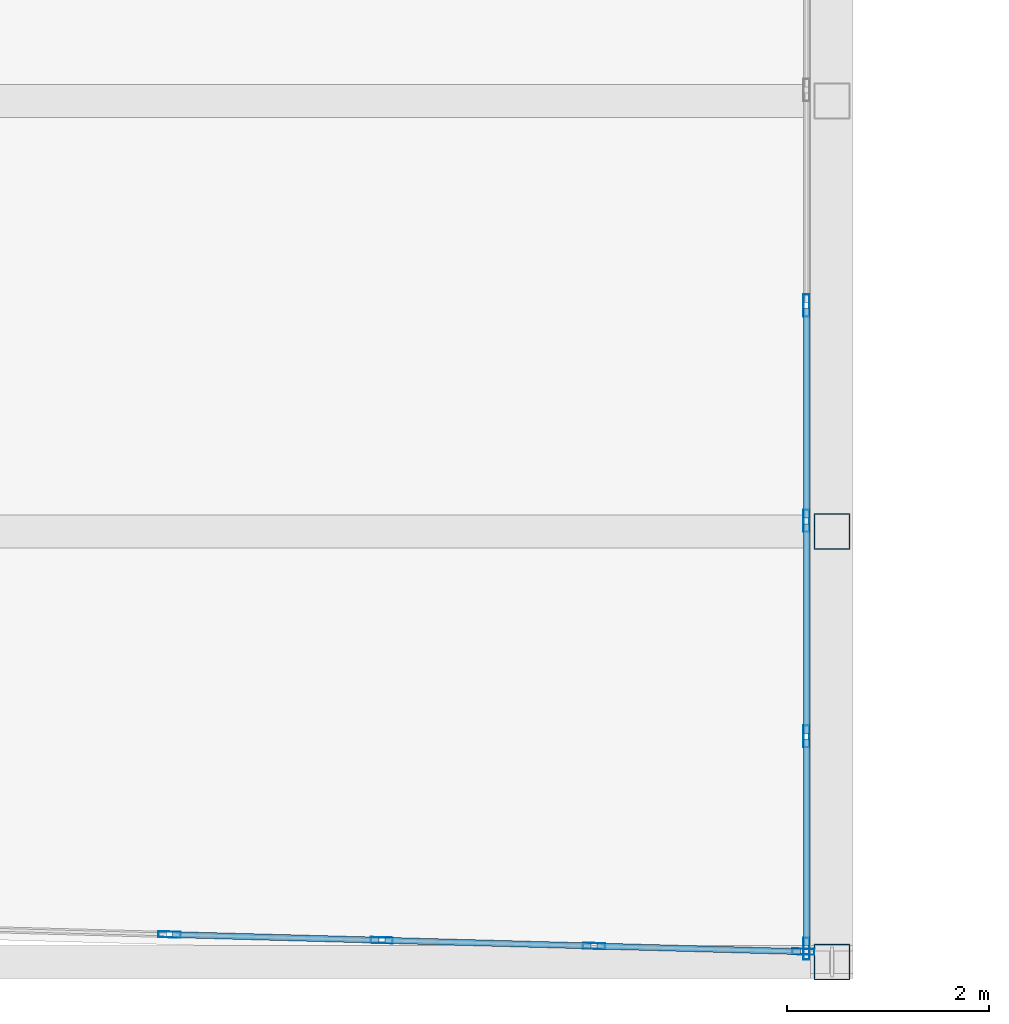
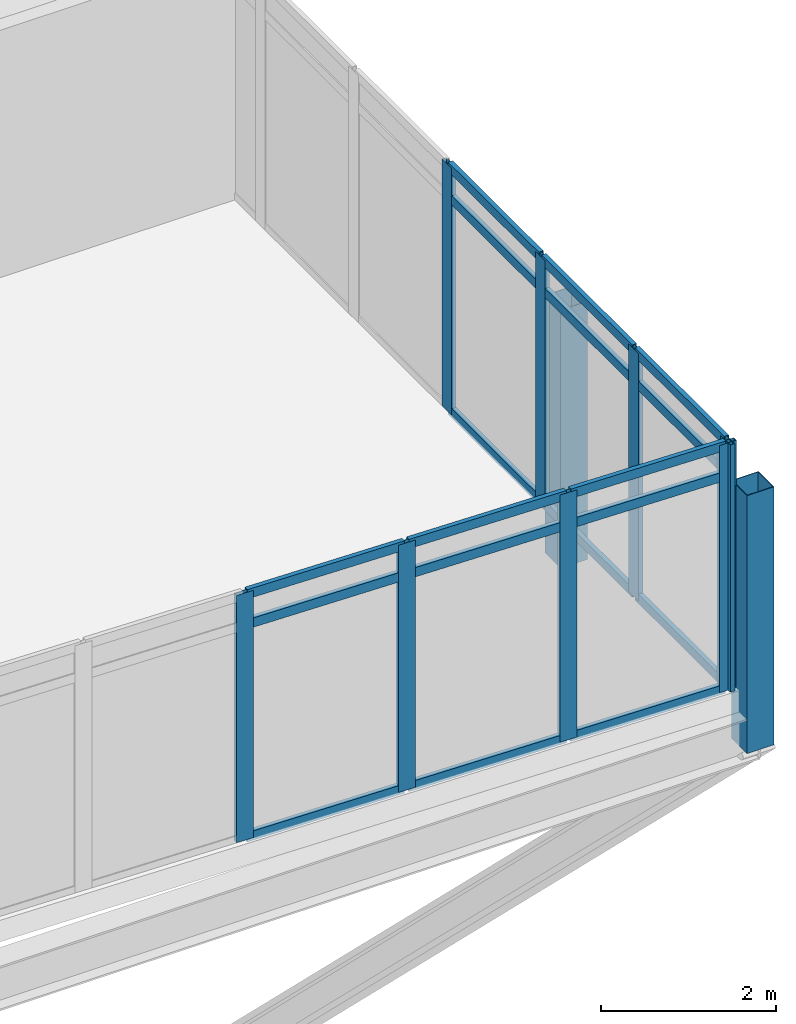
# One storey, part 12 of 38: 28 members, 2 elements without a shape of their own.
"""IFC4 building model written with IfcOpenShell, lengths in metres."""

from ifc_helpers import new_model, si_unit, direction, frame, origin, origin_2d, place, context, subcontext, project, spatial, hollow_rectangle, extrude, material, material_profile, profile_set, type_object, element, aggregate, save


model = new_model("IFC4")

# Units and contexts
model_context = context("Model", 3, precision=1e-05, world=origin(), true_north=direction((0.0, 1.0)))
body_context = subcontext(model_context, "Body", "Model", "MODEL_VIEW")
ifc_project = project(units=[si_unit("LENGTHUNIT", "METRE"), si_unit("AREAUNIT", "SQUARE_METRE"), si_unit("VOLUMEUNIT", "CUBIC_METRE"), si_unit("PLANEANGLEUNIT", "RADIAN"), si_unit("MASSUNIT", "GRAM", prefix="KILO")], contexts=[model_context])

# Site, building, storey
site_placement = place(None, origin())
site = spatial("IfcSite", under=ifc_project, at=site_placement, CompositionType="ELEMENT")
building_placement = place(site_placement, origin())
building = spatial("IfcBuilding", under=site, at=building_placement, Name="Ostrander Bayou Hotel Tower", CompositionType="ELEMENT")
storey_placement = place(building_placement, frame((0.0, 0.0, 65.5)))
storey = spatial("IfcBuildingStorey", under=building, at=storey_placement, Name="L16", CompositionType="ELEMENT", Elevation=65.5)

# Curtain wall, members
ifc_material_1 = material(Name="Aluminium and clear glass", Category="aluminium")
curtain_wall_type = type_object("IfcCurtainWallType", Name="CW-BAR glazed wall", PredefinedType="NOTDEFINED", material=ifc_material_1)
curtain_wall_1_placement = place(storey_placement, origin())
curtain_wall_1 = element("IfcCurtainWall", 1, at=curtain_wall_1_placement, inside=storey, type_object=curtain_wall_type, Name="CW-BAR L16:SB1S:T", PredefinedType="NOTDEFINED")
ifc_material_2 = material(Name="Aluminium", Category="aluminium")
ifc_material_profile_1 = material_profile(ifc_material_2, hollow_rectangle(XDim=0.06005859375, YDim=0.219970703125, WallThickness=0.00390625, at=origin_2d()))
ifc_profile_set_1 = profile_set([ifc_material_profile_1], Name="Aluminium")
member_type_1 = type_object("IfcMemberType", Name="CW-BR mullion 60 x 220 mm", PredefinedType="MULLION", material=ifc_profile_set_1)
member_1_placement = place(storey_placement, frame((8.406982421875, -32.677490234375, 0.0), z_axis=(0.0, 0.0, 1.0), x_axis=(0.027042484848, 0.999634285133, 0.0)))
member_1 = element("IfcMember", 2, at=member_1_placement, type_object=member_type_1, Name="CW-BAR mullion 12", PredefinedType="MULLION", context=body_context, shape_type="SweptSolid", body=[
    extrude(hollow_rectangle(XDim=0.06005859375, YDim=0.219970703125, WallThickness=0.00390625, at=origin_2d()), origin(), (0.0, 0.0, 1.0), 3.449951171875),
])
member_2_placement = place(storey_placement, frame((10.5087890625, -32.734375, 0.0), z_axis=(0.0, 0.0, 1.0), x_axis=(0.027042484848, 0.999634285133, 0.0)))
member_2 = element("IfcMember", 3, at=member_2_placement, type_object=member_type_1, Name="CW-BAR mullion 13", PredefinedType="MULLION", context=body_context, shape_type="SweptSolid", body=[
    extrude(hollow_rectangle(XDim=0.06005859375, YDim=0.219970703125, WallThickness=0.00390625, at=origin_2d()), origin(), (0.0, 0.0, 1.0), 3.449951171875),
])
member_3_placement = place(storey_placement, frame((12.6103515625, -32.791259765625, 0.0), z_axis=(0.0, 0.0, 1.0), x_axis=(0.027042484848, 0.999634285133, 0.0)))
member_3 = element("IfcMember", 4, at=member_3_placement, type_object=member_type_1, Name="CW-BAR mullion 14", PredefinedType="MULLION", context=body_context, shape_type="SweptSolid", body=[
    extrude(hollow_rectangle(XDim=0.06005859375, YDim=0.219970703125, WallThickness=0.00390625, at=origin_2d()), origin(), (0.0, 0.0, 1.0), 3.449951171875),
])
member_4_placement = place(storey_placement, frame((14.68212890625, -32.84716796875, 0.0), z_axis=(0.0, 0.0, 1.0), x_axis=(0.027042484848, 0.999634285133, 0.0)))
member_4 = element("IfcMember", 5, at=member_4_placement, type_object=member_type_1, Name="CW-BAR mullion 15", PredefinedType="MULLION", context=body_context, shape_type="SweptSolid", body=[
    extrude(hollow_rectangle(XDim=0.06005859375, YDim=0.219970703125, WallThickness=0.00390625, at=origin_2d()), origin(), (0.0, 0.0, 1.0), 3.449951171875),
])

curtain_wall_2_placement = place(storey_placement, origin())
curtain_wall_2 = element("IfcCurtainWall", 6, at=curtain_wall_2_placement, inside=storey, type_object=curtain_wall_type, Name="CW-BAR L16:SB1S:W", PredefinedType="NOTDEFINED")
member_5_placement = place(storey_placement, frame((14.712158203125, -26.448974609375, 0.0), z_axis=(0.0, 0.0, 1.0), x_axis=(1.0, 0.0, 0.0)))
member_5 = element("IfcMember", 7, at=member_5_placement, type_object=member_type_1, Name="CW-BAR mullion 8", PredefinedType="MULLION", context=body_context, shape_type="SweptSolid", body=[
    extrude(hollow_rectangle(XDim=0.06005859375, YDim=0.219970703125, WallThickness=0.00390625, at=origin_2d()), origin(), (0.0, 0.0, 1.0), 3.449951171875),
])
member_6_placement = place(storey_placement, frame((14.712158203125, -28.58203125, 0.0), z_axis=(0.0, 0.0, 1.0), x_axis=(1.0, 0.0, 0.0)))
member_6 = element("IfcMember", 8, at=member_6_placement, type_object=member_type_1, Name="CW-BAR mullion 9", PredefinedType="MULLION", context=body_context, shape_type="SweptSolid", body=[
    extrude(hollow_rectangle(XDim=0.06005859375, YDim=0.219970703125, WallThickness=0.00390625, at=origin_2d()), origin(), (0.0, 0.0, 1.0), 3.449951171875),
])
member_7_placement = place(storey_placement, frame((14.712158203125, -30.715087890625, 0.0), z_axis=(0.0, 0.0, 1.0), x_axis=(1.0, 0.0, 0.0)))
member_7 = element("IfcMember", 9, at=member_7_placement, type_object=member_type_1, Name="CW-BAR mullion 10", PredefinedType="MULLION", context=body_context, shape_type="SweptSolid", body=[
    extrude(hollow_rectangle(XDim=0.06005859375, YDim=0.219970703125, WallThickness=0.00390625, at=origin_2d()), origin(), (0.0, 0.0, 1.0), 3.449951171875),
])
member_8_placement = place(storey_placement, frame((14.712158203125, -32.818115234375, 0.0), z_axis=(0.0, 0.0, 1.0), x_axis=(1.0, 0.0, 0.0)))
member_8 = element("IfcMember", 10, at=member_8_placement, type_object=member_type_1, Name="CW-BAR mullion 11", PredefinedType="MULLION", context=body_context, shape_type="SweptSolid", body=[
    extrude(hollow_rectangle(XDim=0.06005859375, YDim=0.219970703125, WallThickness=0.00390625, at=origin_2d()), origin(), (0.0, 0.0, 1.0), 3.449951171875),
])

# Member
ifc_material_3 = material(Name="Aluminium", Category="aluminium")
ifc_material_profile_2 = material_profile(ifc_material_3, hollow_rectangle(XDim=0.06005859375, YDim=0.1298828125, WallThickness=0.00390625, at=origin_2d()))
ifc_profile_set_2 = profile_set([ifc_material_profile_2], Name="Aluminium")
member_type_2 = type_object("IfcMemberType", Name="CW-BR transom 60 x 130 mm", PredefinedType="USERDEFINED", material=ifc_profile_set_2)
member_9_placement = place(storey_placement, frame((8.43701171875, -32.67822265625, 0.030029296875), z_axis=(0.999635057116, -0.027013933147, 0.0), x_axis=(0.027013933147, 0.999635057116, 0.0)))
member_9 = element("IfcMember", 11, at=member_9_placement, type_object=member_type_2, Name="CW-BAR transom 12.1", ObjectType="TRANSOM", PredefinedType="USERDEFINED", context=body_context, shape_type="SweptSolid", body=[
    extrude(hollow_rectangle(XDim=0.06005859375, YDim=0.1298828125, WallThickness=0.00390625, at=origin_2d()), origin(), (0.0, 0.0, 1.0), 2.04248046875),
])

member_10_placement = place(storey_placement, frame((8.43701171875, -32.67822265625, 3.0), z_axis=(0.999635057116, -0.027013933147, 0.0), x_axis=(0.027013933147, 0.999635057116, 0.0)))
member_10 = element("IfcMember", 12, at=member_10_placement, type_object=member_type_2, Name="CW-BAR transom 12.2", ObjectType="TRANSOM", PredefinedType="USERDEFINED", context=body_context, shape_type="SweptSolid", body=[
    extrude(hollow_rectangle(XDim=0.06005859375, YDim=0.1298828125, WallThickness=0.00390625, at=origin_2d()), origin(), (0.0, 0.0, 1.0), 2.04248046875),
])

member_11_placement = place(storey_placement, frame((8.43701171875, -32.67822265625, 3.419921875), z_axis=(0.999635057116, -0.027013933147, 0.0), x_axis=(0.027013933147, 0.999635057116, 0.0)))
member_11 = element("IfcMember", 13, at=member_11_placement, type_object=member_type_2, Name="CW-BAR transom 12.3", ObjectType="TRANSOM", PredefinedType="USERDEFINED", context=body_context, shape_type="SweptSolid", body=[
    extrude(hollow_rectangle(XDim=0.06005859375, YDim=0.1298828125, WallThickness=0.00390625, at=origin_2d()), origin(), (0.0, 0.0, 1.0), 2.04248046875),
])

member_12_placement = place(storey_placement, frame((10.538818359375, -32.735107421875, 0.030029296875), z_axis=(0.999635057116, -0.027013933147, 0.0), x_axis=(0.027013933147, 0.999635057116, 0.0)))
member_12 = element("IfcMember", 14, at=member_12_placement, type_object=member_type_2, Name="CW-BAR transom 13.1", ObjectType="TRANSOM", PredefinedType="USERDEFINED", context=body_context, shape_type="SweptSolid", body=[
    extrude(hollow_rectangle(XDim=0.06005859375, YDim=0.1298828125, WallThickness=0.00390625, at=origin_2d()), origin(), (0.0, 0.0, 1.0), 2.04248046875),
])

member_13_placement = place(storey_placement, frame((10.538818359375, -32.735107421875, 3.0), z_axis=(0.999635057116, -0.027013933147, 0.0), x_axis=(0.027013933147, 0.999635057116, 0.0)))
member_13 = element("IfcMember", 15, at=member_13_placement, type_object=member_type_2, Name="CW-BAR transom 13.2", ObjectType="TRANSOM", PredefinedType="USERDEFINED", context=body_context, shape_type="SweptSolid", body=[
    extrude(hollow_rectangle(XDim=0.06005859375, YDim=0.1298828125, WallThickness=0.00390625, at=origin_2d()), origin(), (0.0, 0.0, 1.0), 2.04248046875),
])

member_14_placement = place(storey_placement, frame((10.538818359375, -32.735107421875, 3.419921875), z_axis=(0.999635057116, -0.027013933147, 0.0), x_axis=(0.027013933147, 0.999635057116, 0.0)))
member_14 = element("IfcMember", 16, at=member_14_placement, type_object=member_type_2, Name="CW-BAR transom 13.3", ObjectType="TRANSOM", PredefinedType="USERDEFINED", context=body_context, shape_type="SweptSolid", body=[
    extrude(hollow_rectangle(XDim=0.06005859375, YDim=0.1298828125, WallThickness=0.00390625, at=origin_2d()), origin(), (0.0, 0.0, 1.0), 2.04248046875),
])

member_15_placement = place(storey_placement, frame((12.640380859375, -32.7919921875, 0.030029296875), z_axis=(0.999634083934, -0.027049921213, 0.0), x_axis=(0.027049921213, 0.999634083934, 0.0)))
member_15 = element("IfcMember", 17, at=member_15_placement, type_object=member_type_2, Name="CW-BAR transom 14.1", ObjectType="TRANSOM", PredefinedType="USERDEFINED", context=body_context, shape_type="SweptSolid", body=[
    extrude(hollow_rectangle(XDim=0.06005859375, YDim=0.1298828125, WallThickness=0.00390625, at=origin_2d()), origin(), (0.0, 0.0, 1.0), 2.0126953125),
])

member_16_placement = place(storey_placement, frame((12.640380859375, -32.7919921875, 3.0), z_axis=(0.999634083934, -0.027049921213, 0.0), x_axis=(0.027049921213, 0.999634083934, 0.0)))
member_16 = element("IfcMember", 18, at=member_16_placement, type_object=member_type_2, Name="CW-BAR transom 14.2", ObjectType="TRANSOM", PredefinedType="USERDEFINED", context=body_context, shape_type="SweptSolid", body=[
    extrude(hollow_rectangle(XDim=0.06005859375, YDim=0.1298828125, WallThickness=0.00390625, at=origin_2d()), origin(), (0.0, 0.0, 1.0), 2.0126953125),
])

member_17_placement = place(storey_placement, frame((12.640380859375, -32.7919921875, 3.419921875), z_axis=(0.999634083934, -0.027049921213, 0.0), x_axis=(0.027049921213, 0.999634083934, 0.0)))
member_17 = element("IfcMember", 19, at=member_17_placement, type_object=member_type_2, Name="CW-BAR transom 14.3", ObjectType="TRANSOM", PredefinedType="USERDEFINED", context=body_context, shape_type="SweptSolid", body=[
    extrude(hollow_rectangle(XDim=0.06005859375, YDim=0.1298828125, WallThickness=0.00390625, at=origin_2d()), origin(), (0.0, 0.0, 1.0), 2.0126953125),
])

aggregate(curtain_wall_1, [member_1, member_2, member_3, member_4, member_9, member_10, member_11, member_12, member_13, member_14, member_15, member_16, member_17])

member_18_placement = place(storey_placement, frame((14.712158203125, -26.47900390625, 0.030029296875), z_axis=(0.0, -1.0, 0.0), x_axis=(1.0, 0.0, 0.0)))
member_18 = element("IfcMember", 20, at=member_18_placement, type_object=member_type_2, Name="CW-BAR transom 8.1", ObjectType="TRANSOM", PredefinedType="USERDEFINED", context=body_context, shape_type="SweptSolid", body=[
    extrude(hollow_rectangle(XDim=0.06005859375, YDim=0.1298828125, WallThickness=0.00390625, at=origin_2d()), origin(), (0.0, 0.0, 1.0), 2.072998046875),
])

member_19_placement = place(storey_placement, frame((14.712158203125, -26.47900390625, 3.0), z_axis=(0.0, -1.0, 0.0), x_axis=(1.0, 0.0, 0.0)))
member_19 = element("IfcMember", 21, at=member_19_placement, type_object=member_type_2, Name="CW-BAR transom 8.2", ObjectType="TRANSOM", PredefinedType="USERDEFINED", context=body_context, shape_type="SweptSolid", body=[
    extrude(hollow_rectangle(XDim=0.06005859375, YDim=0.1298828125, WallThickness=0.00390625, at=origin_2d()), origin(), (0.0, 0.0, 1.0), 2.072998046875),
])

member_20_placement = place(storey_placement, frame((14.712158203125, -26.47900390625, 3.419921875), z_axis=(0.0, -1.0, 0.0), x_axis=(1.0, 0.0, 0.0)))
member_20 = element("IfcMember", 22, at=member_20_placement, type_object=member_type_2, Name="CW-BAR transom 8.3", ObjectType="TRANSOM", PredefinedType="USERDEFINED", context=body_context, shape_type="SweptSolid", body=[
    extrude(hollow_rectangle(XDim=0.06005859375, YDim=0.1298828125, WallThickness=0.00390625, at=origin_2d()), origin(), (0.0, 0.0, 1.0), 2.072998046875),
])

member_21_placement = place(storey_placement, frame((14.712158203125, -28.612060546875, 0.030029296875), z_axis=(0.0, -1.0, 0.0), x_axis=(1.0, 0.0, 0.0)))
member_21 = element("IfcMember", 23, at=member_21_placement, type_object=member_type_2, Name="CW-BAR transom 9.1", ObjectType="TRANSOM", PredefinedType="USERDEFINED", context=body_context, shape_type="SweptSolid", body=[
    extrude(hollow_rectangle(XDim=0.06005859375, YDim=0.1298828125, WallThickness=0.00390625, at=origin_2d()), origin(), (0.0, 0.0, 1.0), 2.072998046875),
])

member_22_placement = place(storey_placement, frame((14.712158203125, -28.612060546875, 3.0), z_axis=(0.0, -1.0, 0.0), x_axis=(1.0, 0.0, 0.0)))
member_22 = element("IfcMember", 24, at=member_22_placement, type_object=member_type_2, Name="CW-BAR transom 9.2", ObjectType="TRANSOM", PredefinedType="USERDEFINED", context=body_context, shape_type="SweptSolid", body=[
    extrude(hollow_rectangle(XDim=0.06005859375, YDim=0.1298828125, WallThickness=0.00390625, at=origin_2d()), origin(), (0.0, 0.0, 1.0), 2.072998046875),
])

member_23_placement = place(storey_placement, frame((14.712158203125, -28.612060546875, 3.419921875), z_axis=(0.0, -1.0, 0.0), x_axis=(1.0, 0.0, 0.0)))
member_23 = element("IfcMember", 25, at=member_23_placement, type_object=member_type_2, Name="CW-BAR transom 9.3", ObjectType="TRANSOM", PredefinedType="USERDEFINED", context=body_context, shape_type="SweptSolid", body=[
    extrude(hollow_rectangle(XDim=0.06005859375, YDim=0.1298828125, WallThickness=0.00390625, at=origin_2d()), origin(), (0.0, 0.0, 1.0), 2.072998046875),
])

member_24_placement = place(storey_placement, frame((14.712158203125, -30.744873046875, 0.030029296875), z_axis=(0.0, -1.0, 0.0), x_axis=(1.0, 0.0, 0.0)))
member_24 = element("IfcMember", 26, at=member_24_placement, type_object=member_type_2, Name="CW-BAR transom 10.1", ObjectType="TRANSOM", PredefinedType="USERDEFINED", context=body_context, shape_type="SweptSolid", body=[
    extrude(hollow_rectangle(XDim=0.06005859375, YDim=0.1298828125, WallThickness=0.00390625, at=origin_2d()), origin(), (0.0, 0.0, 1.0), 2.043212890625),
])

member_25_placement = place(storey_placement, frame((14.712158203125, -30.744873046875, 3.0), z_axis=(0.0, -1.0, 0.0), x_axis=(1.0, 0.0, 0.0)))
member_25 = element("IfcMember", 27, at=member_25_placement, type_object=member_type_2, Name="CW-BAR transom 10.2", ObjectType="TRANSOM", PredefinedType="USERDEFINED", context=body_context, shape_type="SweptSolid", body=[
    extrude(hollow_rectangle(XDim=0.06005859375, YDim=0.1298828125, WallThickness=0.00390625, at=origin_2d()), origin(), (0.0, 0.0, 1.0), 2.043212890625),
])

member_26_placement = place(storey_placement, frame((14.712158203125, -30.744873046875, 3.419921875), z_axis=(0.0, -1.0, 0.0), x_axis=(1.0, 0.0, 0.0)))
member_26 = element("IfcMember", 28, at=member_26_placement, type_object=member_type_2, Name="CW-BAR transom 10.3", ObjectType="TRANSOM", PredefinedType="USERDEFINED", context=body_context, shape_type="SweptSolid", body=[
    extrude(hollow_rectangle(XDim=0.06005859375, YDim=0.1298828125, WallThickness=0.00390625, at=origin_2d()), origin(), (0.0, 0.0, 1.0), 2.043212890625),
])

aggregate(curtain_wall_2, [member_5, member_6, member_7, member_8, member_18, member_19, member_20, member_21, member_22, member_23, member_24, member_25, member_26])

# Members
ifc_material_4 = material(Name="Steel ASTM A500 Gr C", Category="steel")
ifc_material_profile_3 = material_profile(ifc_material_4, hollow_rectangle(XDim=0.355712890625, YDim=0.355712890625, WallThickness=0.0087890625, at=origin_2d()))
ifc_profile_set_3 = profile_set([ifc_material_profile_3], Name="Steel ASTM A500 Gr C")
member_type_3 = type_object("IfcMemberType", Name="TH3 bar hanger HSS14x14x3/8", PredefinedType="POST", material=ifc_profile_set_3)
for number, where, z_axis, x_axis, name in (
    (29, (14.965087890625, -28.6875, -0.771728515625), (0.0, 0.0, 1.0), (1.0, 0.0, 0.0), "TH3 SB1SB H3-1"),
    (30, (14.965087890625, -32.949951171875, -0.771728515625), (0.0, 0.0, 1.0), (1.0, 0.0, 0.0), "TH3 SB1SB H4-1"),
):
    element("IfcMember", number, at=place(storey_placement, frame(where, z_axis=z_axis, x_axis=x_axis)), inside=storey, type_object=member_type_3, Name=name, PredefinedType="POST", context=body_context, shape_type="SweptSolid", body=[
        extrude(hollow_rectangle(XDim=0.355712890625, YDim=0.355712890625, WallThickness=0.0087890625, at=origin_2d()), origin(), (0.0, 0.0, 1.0), 3.599853515625),
    ])

save(model, "model.ifc")
